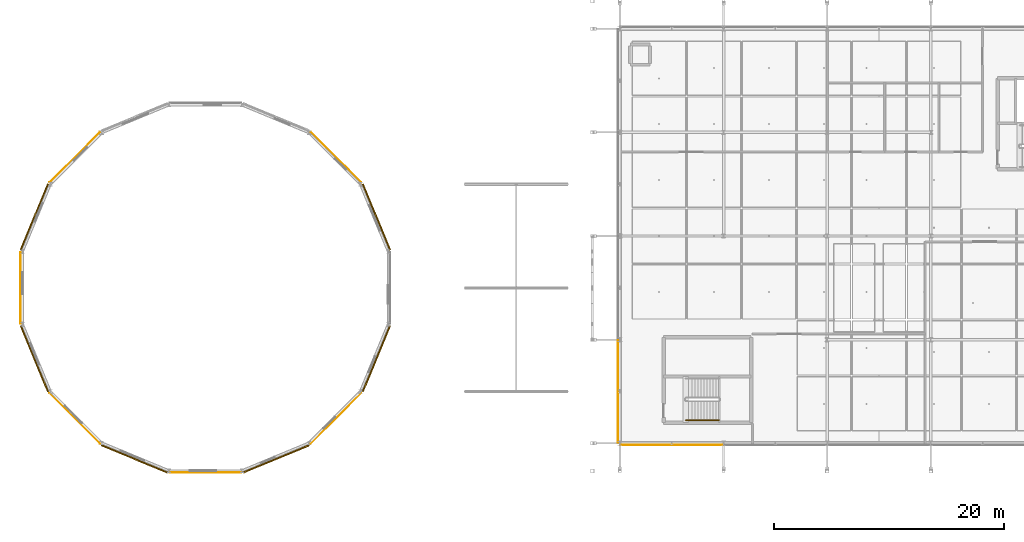
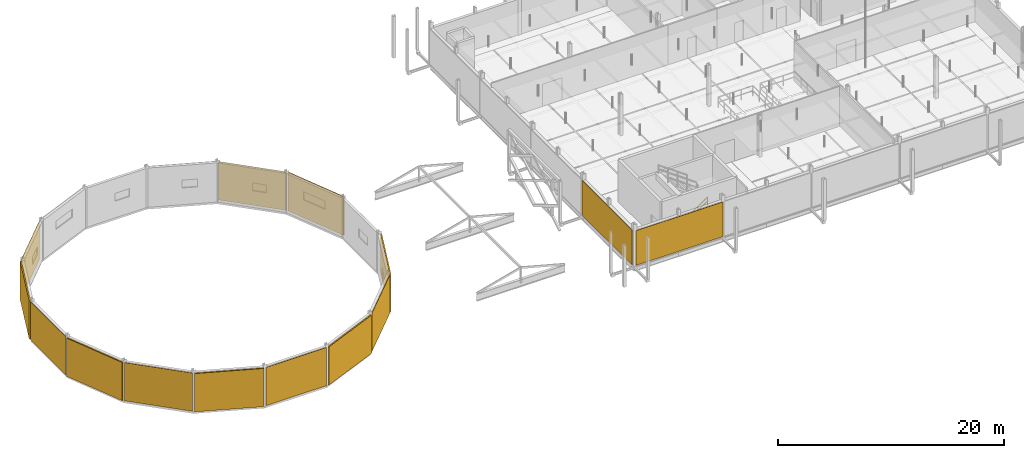
# One storey, part 79 of 89: 14 coverings, 1 railing.
"""IFC4 building model written with IfcOpenShell, lengths in metres."""

from ifc_helpers import new_model, si_unit, direction, frame, origin, origin_2d, place, context, subcontext, project, spatial, rectangle, circle, extrude, material, layer, layer_set, type_object, element, save


model = new_model("IFC4")

# Units and contexts
model_context = context("Model", 3, precision=1e-05, world=origin(), true_north=direction((0.0, 1.0)))
body_context = subcontext(model_context, "Body", "Model", "MODEL_VIEW")
ifc_project = project(units=[si_unit("LENGTHUNIT", "METRE"), si_unit("AREAUNIT", "SQUARE_METRE"), si_unit("VOLUMEUNIT", "CUBIC_METRE"), si_unit("PLANEANGLEUNIT", "RADIAN"), si_unit("MASSUNIT", "GRAM", prefix="KILO"), si_unit("THERMODYNAMICTEMPERATUREUNIT", "KELVIN"), si_unit("POWERUNIT", "WATT")], contexts=[model_context])

# Site, building, storey
site_placement = place(None, origin())
site = spatial("IfcSite", under=ifc_project, at=site_placement, CompositionType="ELEMENT")
building_placement = place(site_placement, origin())
building = spatial("IfcBuilding", under=site, at=building_placement, Name="Tallowbark Science Centre", CompositionType="ELEMENT")
storey_placement = place(building_placement, frame((0.0, 0.0, 14.39990234375)))
storey = spatial("IfcBuildingStorey", under=building, at=storey_placement, Name="L03", CompositionType="ELEMENT", Elevation=14.39990234375)

# Coverings
ifc_material_1 = material(Name="White Architectural Precast Concrete Grade N40 (40 MPa)", Category="concrete")
ifc_layer_1 = layer(ifc_material_1, 0.1201171875)
ifc_layer_set_1 = layer_set([ifc_layer_1], Name="White Architectural Precast Concrete Grade N40 (40 MPa)")
covering_type_1 = type_object("IfcCoveringType", Name="COV-PRC-CLAD", PredefinedType="CLADDING", material=ifc_layer_set_1)
for number, where, z_axis, x_axis, name in (
    (1, (37.357177734375, 24.154052734375, 0.050048828125), (0.0, 0.0, 1.0), (-0.382683431527, 0.923879532859, 0.0), "Architectural Rainscreen DRM-UP-L03-00"),
    (2, (7.642822265625, 24.154052734375, 0.050048828125), (0.0, 0.0, 1.0), (-0.382683431527, -0.923879532859, 0.0), "Architectural Rainscreen DRM-UP-L03-06"),
    (3, (7.642822265625, 11.845947265625, 0.050048828125), (0.0, 0.0, 1.0), (0.382683431527, -0.923879532859, 0.0), "Architectural Rainscreen DRM-UP-L03-08"),
    (4, (16.345947265625, 3.142822265625, 0.050048828125), (0.0, 0.0, 1.0), (0.923879532859, -0.382683431527, 0.0), "Architectural Rainscreen DRM-UP-L03-10"),
    (5, (28.654052734375, 3.142822265625, 0.050048828125), (0.0, 0.0, 1.0), (0.923879532859, 0.382683431527, 0.0), "Architectural Rainscreen DRM-UP-L03-12"),
    (6, (37.357177734375, 11.845947265625, 0.050048828125), (0.0, 0.0, 1.0), (0.382683431527, 0.923879532859, 0.0), "Architectural Rainscreen DRM-UP-L03-14"),
):
    element("IfcCovering", number, at=place(storey_placement, frame(where, z_axis=z_axis, x_axis=x_axis)), inside=storey, type_object=covering_type_1, Name=name, PredefinedType="CLADDING", context=body_context, shape_type="SweptSolid", body=[
        extrude(rectangle(XDim=6.200927734375, YDim=0.1201171875, at=origin_2d()), origin(), (0.0, 0.0, 1.0), 4.1298828125),
    ])
ifc_material_2 = material(Name="Vitrified Ochre Terracotta Architectural Rainscreen", Category="masonry")
ifc_layer_2 = layer(ifc_material_2, 0.0380859375)
ifc_layer_set_2 = layer_set([ifc_layer_2], Name="Vitrified Ochre Terracotta Architectural Rainscreen")
covering_type_2 = type_object("IfcCoveringType", Name="COV-TER-CLAD", PredefinedType="CLADDING", material=ifc_layer_set_2)
for number, where, z_axis, x_axis, name in (
    (7, (33.842041015625, 29.342041015625, 0.050048828125), (0.0, 0.0, 1.0), (-0.707106781187, 0.707106781187, 0.0), "Architectural Rainscreen DRM-UP-L03-01"),
    (8, (11.157958984375, 29.342041015625, 0.050048828125), (0.0, 0.0, 1.0), (-0.707106781187, -0.707106781187, 0.0), "Architectural Rainscreen DRM-UP-L03-05"),
    (9, (6.459716796875, 18.0, 0.050048828125), (0.0, 0.0, 1.0), (0.0, -1.0, 0.0), "Architectural Rainscreen DRM-UP-L03-07"),
    (10, (11.157958984375, 6.657958984375, 0.050048828125), (0.0, 0.0, 1.0), (0.707106781187, -0.707106781187, 0.0), "Architectural Rainscreen DRM-UP-L03-09"),
    (11, (22.5, 1.959716796875, 0.050048828125), (0.0, 0.0, 1.0), (1.0, 0.0, 0.0), "Architectural Rainscreen DRM-UP-L03-11"),
    (12, (33.842041015625, 6.657958984375, 0.050048828125), (0.0, 0.0, 1.0), (0.707106781187, 0.707106781187, 0.0), "Architectural Rainscreen DRM-UP-L03-13"),
):
    element("IfcCovering", number, at=place(storey_placement, frame(where, z_axis=z_axis, x_axis=x_axis)), inside=storey, type_object=covering_type_2, Name=name, PredefinedType="CLADDING", context=body_context, shape_type="SweptSolid", body=[
        extrude(rectangle(XDim=6.200927734375, YDim=0.0380859375, at=origin_2d()), origin(), (0.0, 0.0, 1.0), 4.1298828125),
    ])
ifc_material_3 = material(Name="Spotted Gum Hardwood Architectural Rainscreen", Category="wood")
ifc_layer_3 = layer(ifc_material_3, 0.0419921875)
ifc_layer_set_3 = layer_set([ifc_layer_3], Name="Spotted Gum Hardwood Architectural Rainscreen")
covering_type_3 = type_object("IfcCoveringType", Name="COV-TIM-CLAD", PredefinedType="CLADDING", material=ifc_layer_set_3)
for number, where, z_axis, x_axis, name in (
    (13, (63.0, 4.33154296875, 0.050048828125), (0.0, 0.0, 1.0), (1.0, 0.0, 0.0), "Architectural Rainscreen CUB-S-L03-0"),
    (14, (58.33154296875, 9.0, 0.050048828125), (0.0, 0.0, 1.0), (0.0, -1.0, 0.0), "Architectural Rainscreen CUB-W-L03-0"),
):
    element("IfcCovering", number, at=place(storey_placement, frame(where, z_axis=z_axis, x_axis=x_axis)), inside=storey, type_object=covering_type_3, Name=name, PredefinedType="CLADDING", context=body_context, shape_type="SweptSolid", body=[
        extrude(rectangle(XDim=8.8798828125, YDim=0.0419921875, at=origin_2d()), origin(), (0.0, 0.0, 1.0), 3.74609375),
    ])

# Railing
ifc_material_4 = material(Name="Brushed Grade 316 Stainless Steel Handrail", Category="steel")
ifc_layer_4 = layer(ifc_material_4, 0.050048828125)
ifc_layer_set_4 = layer_set([ifc_layer_4], Name="Brushed Grade 316 Stainless Steel Handrail")
railing_type = type_object("IfcRailingType", Name="RLG-HDR-950", PredefinedType="HANDRAIL", material=ifc_layer_set_4)
railing_placement = place(storey_placement, frame((64.2099609375, 6.5, 0.1875)))
element("IfcRailing", 15, at=railing_placement, inside=storey, type_object=railing_type, Name="L03 ST-07 stair handrail 1", PredefinedType="HANDRAIL", context=body_context, shape_type="SweptSolid", body=[
    extrude(circle(Radius=0.02392578125, at=origin_2d()), frame((0.0, 0.0, 0.8759765625), z_axis=(0.816330724661, 0.0, 0.577584753931), x_axis=(0.0, 1.0, 0.0)), (0.0, 0.0, 1.0), 3.57080078125),
    extrude(circle(Radius=0.02392578125, at=origin_2d()), frame((0.0, 0.0, 0.449951171875), z_axis=(0.816330724661, 0.0, 0.577584753931), x_axis=(0.0, 1.0, 0.0)), (0.0, 0.0, 1.0), 3.57080078125),
    extrude(circle(Radius=0.02099609375, at=origin_2d()), origin(), (0.0, 0.0, 1.0), 0.851806640625),
    extrude(circle(Radius=0.02099609375, at=origin_2d()), frame((0.9716796875, 0.0, 0.6875)), (0.0, 0.0, 1.0), 0.851806640625),
    extrude(circle(Radius=0.02099609375, at=origin_2d()), frame((1.943359375, 0.0, 1.375)), (0.0, 0.0, 1.0), 0.851806640625),
    extrude(circle(Radius=0.02099609375, at=origin_2d()), frame((2.9150390625, 0.0, 2.0625)), (0.0, 0.0, 1.0), 0.851806640625),
])

save(model, "model.ifc")
